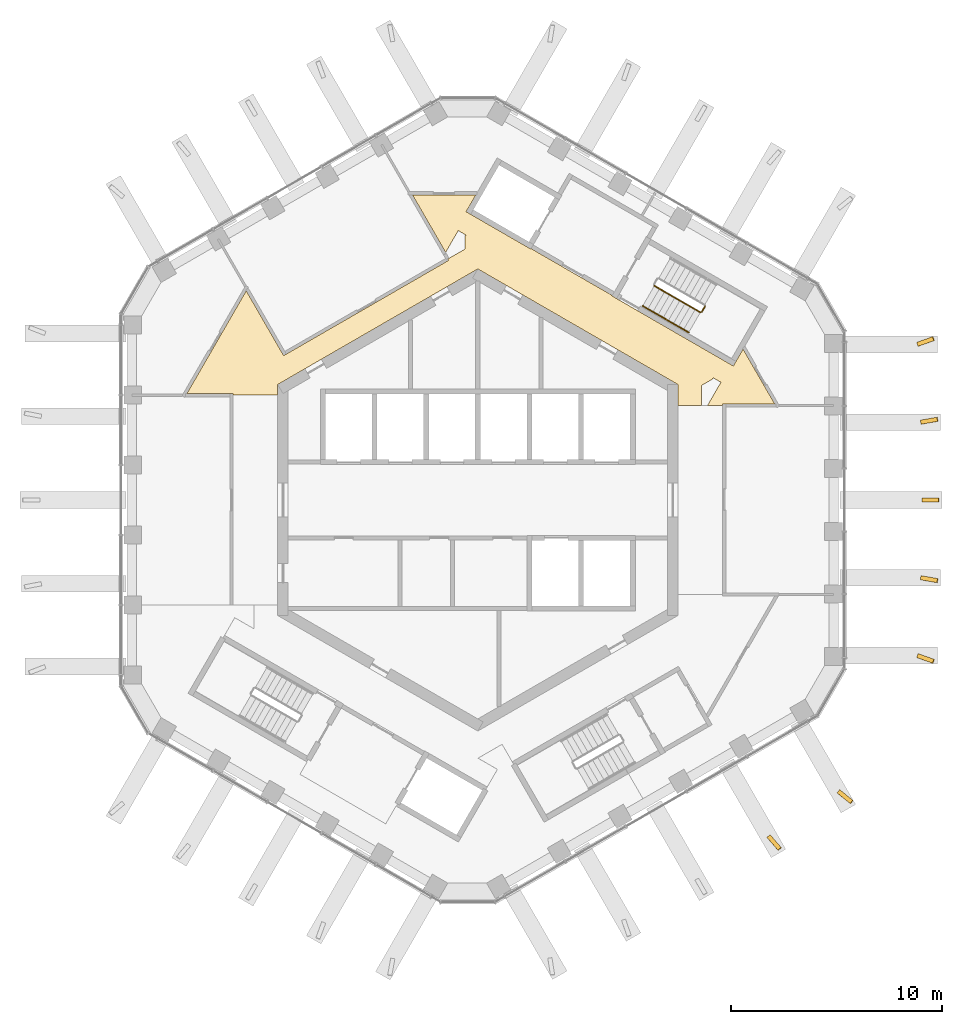
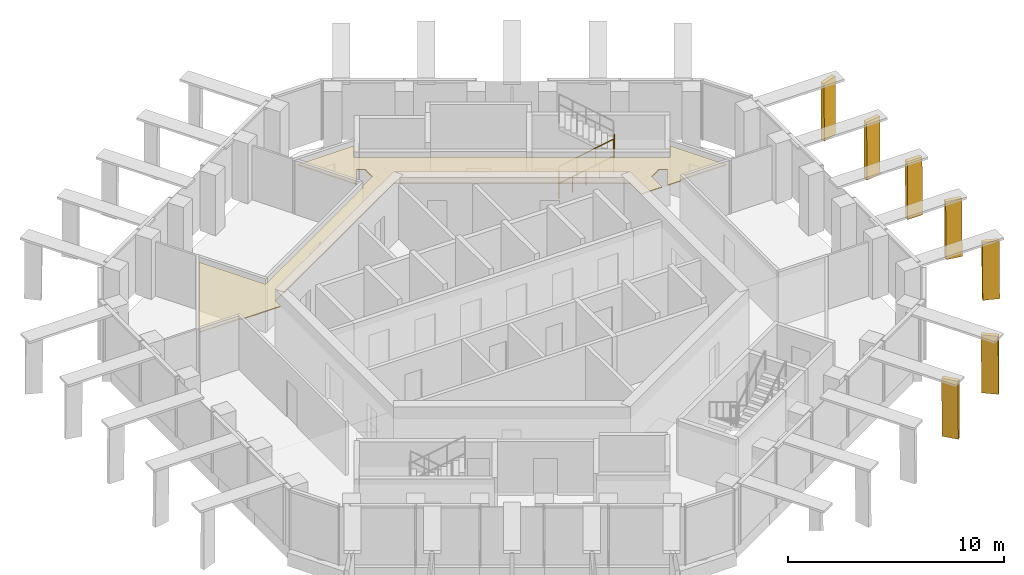
# One storey, part 16 of 17: 7 shading devices, 4 railings, 1 covering.
"""IFC4 building model written with IfcOpenShell, lengths in metres."""

from ifc_helpers import new_model, si_unit, direction, frame, origin, origin_2d, place, context, subcontext, project, spatial, polyline, circle, outline, extrude, material, layer, layer_set, type_object, element, save


model = new_model("IFC4")

# Units and contexts
model_context = context("Model", 3, precision=1e-05, world=origin(), true_north=direction((0.0, 1.0)))
body_context = subcontext(model_context, "Body", "Model", "MODEL_VIEW")
ifc_project = project(units=[si_unit("LENGTHUNIT", "METRE"), si_unit("AREAUNIT", "SQUARE_METRE"), si_unit("VOLUMEUNIT", "CUBIC_METRE"), si_unit("PLANEANGLEUNIT", "RADIAN"), si_unit("MASSUNIT", "GRAM", prefix="KILO")], contexts=[model_context])

# Site, building, storey
site_placement = place(None, origin())
site = spatial("IfcSite", under=ifc_project, at=site_placement, CompositionType="ELEMENT")
building_placement = place(site_placement, origin())
building = spatial("IfcBuilding", under=site, at=building_placement, Name="Ayvan Gate Tower", CompositionType="ELEMENT")
storey_placement = place(building_placement, frame((0.0, 0.0, 246.10009765625)))
storey = spatial("IfcBuildingStorey", under=building, at=storey_placement, Name="L66", CompositionType="ELEMENT", Elevation=246.10009765625)

# Covering
ifc_material_1 = material(Name="Plasterboard suspended ceiling")
ifc_layer_1 = layer(ifc_material_1, 0.050048828125)
ifc_layer_set_1 = layer_set([ifc_layer_1], Name="Plasterboard suspended ceiling")
covering_type = type_object("IfcCoveringType", Name="CT-SUSP-50", PredefinedType="CEILING", material=ifc_layer_set_1)
covering_placement = place(storey_placement, frame((0.0, 0.0, 2.699951171875)))
element("IfcCovering", 1, at=covering_placement, inside=storey, type_object=covering_type, Name="Ceiling Gallery L66", PredefinedType="CEILING", context=body_context, shape_type="SweptSolid", body=[
    extrude(outline(polyline([(-9.089111328125, 6.9287109375), (-9.0888671875, 6.9287109375), (-1.39111328125, 11.373291015625), (-1.428466796875, 11.438232421875), (-0.60009765625, 11.91650390625), (-0.60009765625, 12.56298828125), (-0.53955078125, 12.56298828125), (-0.930419921875, 12.78857421875), (-1.52587890625, 11.7568359375), (-3.102294921875, 14.48681640625), (-0.09423828125, 14.48681640625), (-0.55615234375, 13.686767578125), (-0.339599609375, 13.561767578125), (2.518310546875, 11.91162109375), (2.53076171875, 11.933349609375), (6.384521484375, 9.70849609375), (6.3720703125, 9.686767578125), (6.588623046875, 9.561767578125), (12.131103515625, 6.36181640625), (12.24609375, 6.56103515625), (12.593017578125, 7.161865234375), (14.096923828125, 4.556884765625), (11.625, 4.556884765625), (11.625, 4.481689453125), (10.9013671875, 4.481689453125), (11.540283203125, 5.58837890625), (11.149658203125, 5.814208984375), (11.1796875, 5.76171875), (10.6201171875, 5.438720703125), (10.6201171875, 4.481689453125), (9.5, 4.481689453125), (9.5, 5.48486328125), (4.66748046875, 8.27490234375), (0.0, 10.9697265625), (-4.667724609375, 8.27490234375), (-8.63134765625, 5.986328125), (-9.5, 5.48486328125), (-9.5, 4.97509765625), (-11.625, 4.97509765625), (-11.625, 5.05029296875), (-13.81201171875, 5.05029296875), (-10.994873046875, 9.929931640625), (-9.218994140625, 6.853759765625), (-9.089111328125, 6.9287109375)])), origin(), (0.0, 0.0, 1.0), 0.050048828125),
])

# Shading devices
ifc_material_2 = material(Name="Bronze anodised aluminium", Category="aluminium")
ifc_layer_2 = layer(ifc_material_2, 0.199951171875)
ifc_layer_set_2 = layer_set([ifc_layer_2], Name="Bronze anodised aluminium")
shading_device_type = type_object("IfcShadingDeviceType", Name="Crown frame rib 800 x 200", PredefinedType="USERDEFINED", material=ifc_layer_set_2)
shading_device_1_placement = place(storey_placement, frame((13.73876953125, -16.037353515625, 0.0), z_axis=(-0.75637328855, -0.654140062137, 0.000476944821), x_axis=(0.6541401365, -0.75637337461, -1.02649e-07)))
element("IfcShadingDevice", 2, at=shading_device_1_placement, inside=storey, type_object=shading_device_type, Name="CROWN FRAME rib FR04.6.4", ObjectType="FIN", PredefinedType="USERDEFINED", context=body_context, shape_type="SweptSolid", body=[
    extrude(outline(polyline([(0.0, 0.0), (0.8000175557077764, 0.0), (0.77860174133139, 3.279785609209792), (-0.021390855089738415, 3.279785444969894), (0.0, 0.0)])), origin(), (0.0, 0.0, -1.0), 0.199951171875),
])
shading_device_2_placement = place(storey_placement, frame((17.072021484375, -13.92333984375, 0.0), z_axis=(-0.628464885447, -0.777837821318, 0.000459877735), x_axis=(0.777837903585, -0.628464951884, 5.4584e-08)))
element("IfcShadingDevice", 3, at=shading_device_2_placement, inside=storey, type_object=shading_device_type, Name="CROWN FRAME rib FR04.6.5", ObjectType="FIN", PredefinedType="USERDEFINED", context=body_context, shape_type="SweptSolid", body=[
    extrude(outline(polyline([(0.0, 0.0), (0.7999800176189473, 2.710505431213761e-20), (0.776867303533222, 3.279785460662657), (-0.02326614791186887, 3.279785548002656), (0.0, 0.0)])), origin(), (0.0, 0.0, -1.0), 0.199951171875),
])
shading_device_3_placement = place(storey_placement, frame((20.856201171875, -7.48974609375, 0.0), z_axis=(-0.333570270152, -0.942725127629, 0.000456736698), x_axis=(0.942725225959, -0.333570304944, 0.0)))
element("IfcShadingDevice", 4, at=shading_device_3_placement, inside=storey, type_object=shading_device_type, Name="CROWN FRAME rib FR04.1.1", ObjectType="FIN", PredefinedType="USERDEFINED", context=body_context, shape_type="SweptSolid", body=[
    extrude(outline(polyline([(0.0, 0.0), (0.7999683999734712, 0.0), (0.7763897337873797, 3.2797854983454395), (-0.023578666186091543, 3.2797854983454395), (0.0, 0.0)])), origin(), (0.0, 0.0, -1.0), 0.199951171875),
])
shading_device_4_placement = place(storey_placement, frame((21.029052734375, -3.792724609375, 0.0), z_axis=(-0.172879967379, -0.984942797381, 0.000450295742), x_axis=(0.984942897231, -0.172879984942, -7.9563e-08)))
element("IfcShadingDevice", 5, at=shading_device_4_placement, inside=storey, type_object=shading_device_type, Name="CROWN FRAME rib FR04.1.2", ObjectType="FIN", PredefinedType="USERDEFINED", context=body_context, shape_type="SweptSolid", body=[
    extrude(outline(polyline([(0.0, 0.0), (0.7999105666083052, -1.3552527156068805e-20), (0.7780613330705165, 3.2797855506694673), (-0.02204749108473448, 3.279785423367875), (0.0, 0.0)])), origin(), (0.0, 0.0, -1.0), 0.199951171875),
])
shading_device_5_placement = place(storey_placement, frame((21.10205078125, -0.099853515625, 0.0), z_axis=(0.0, -0.999999900262, 0.000446627914), x_axis=(1.0, 0.0, 0.0)))
element("IfcShadingDevice", 6, at=shading_device_5_placement, inside=storey, type_object=shading_device_type, Name="CROWN FRAME rib FR04.1.3", ObjectType="FIN", PredefinedType="USERDEFINED", context=body_context, shape_type="SweptSolid", body=[
    extrude(outline(polyline([(0.0, 0.0), (0.800048828125, 0.0), (0.77880859375, 3.2797854833700706), (-0.021240234375, 3.2797854833700706), (0.0, 0.0)])), origin(), (0.0, 0.0, -1.0), 0.199951171875),
])
shading_device_6_placement = place(storey_placement, frame((21.0634765625, 3.595947265625, 0.0), z_axis=(0.172879966992, -0.984942795173, 0.000455247915), x_axis=(0.984942897233, 0.172879984932, 5.64e-08)))
element("IfcShadingDevice", 7, at=shading_device_6_placement, inside=storey, type_object=shading_device_type, Name="CROWN FRAME rib FR04.1.4", ObjectType="FIN", PredefinedType="USERDEFINED", context=body_context, shape_type="SweptSolid", body=[
    extrude(outline(polyline([(0.0, 0.0), (0.8001510311828248, 1.3552527156068805e-20), (0.7780873341787556, 3.2797854522350995), (-0.02178102540197805, 3.279785542475492), (0.0, 0.0)])), origin(), (0.0, 0.0, -1.0), 0.199951171875),
])
shading_device_7_placement = place(storey_placement, frame((20.923095703125, 7.30126953125, 0.0), z_axis=(0.333753883975, -0.942660146919, 0.00043856933), x_axis=(0.942660237582, 0.333753916055, -4.0762e-08)))
element("IfcShadingDevice", 8, at=shading_device_7_placement, inside=storey, type_object=shading_device_type, Name="CROWN FRAME rib FR04.1.5", ObjectType="FIN", PredefinedType="USERDEFINED", context=body_context, shape_type="SweptSolid", body=[
    extrude(outline(polyline([(0.0, 0.0), (0.7997382431398925, 2.710505431213761e-20), (0.7764465216394344, 3.2797855033211807), (-0.023603346049685923, 3.279785438111301), (0.0, 0.0)])), origin(), (0.0, 0.0, -1.0), 0.199951171875),
])

# Railings
ifc_material_3 = material(Name="Stainless steel balustrade", Category="steel")
railing_type_1 = type_object("IfcRailingType", Name="RL-GUARD-1100", PredefinedType="GUARDRAIL", material=ifc_material_3)
railing_1_placement = place(storey_placement, frame((8.381103515625, 10.16650390625, 0.169921875)))
element("IfcRailing", 9, at=railing_1_placement, inside=storey, type_object=railing_type_1, Name="L66 STS1 stair guard 1", PredefinedType="GUARDRAIL", context=body_context, shape_type="SweptSolid", body=[
    extrude(circle(Radius=0.02392578125, at=origin_2d()), frame((0.0, 0.0, 1.076171875), z_axis=(0.740261155115, -0.427395438142, 0.518986090067), x_axis=(0.500004791531, 0.866022637375, 0.0)), (0.0, 0.0, 1.0), 2.947998046875),
    extrude(circle(Radius=0.02099609375, at=origin_2d()), origin(), (0.0, 0.0, 1.0), 1.052001953125),
    extrude(circle(Radius=0.02099609375, at=origin_2d()), frame((0.7275390625, -0.419921875, 0.510009765625)), (0.0, 0.0, 1.0), 1.052001953125),
    extrude(circle(Radius=0.02099609375, at=origin_2d()), frame((1.454833984375, -0.840087890625, 1.02001953125)), (0.0, 0.0, 1.0), 1.052001953125),
    extrude(circle(Radius=0.02099609375, at=origin_2d()), frame((2.182373046875, -1.260009765625, 1.530029296875)), (0.0, 0.0, 1.0), 1.052001953125),
])
railing_2_placement = place(storey_placement, frame((10.6318359375, 8.9248046875, 1.699951171875)))
element("IfcRailing", 10, at=railing_2_placement, inside=storey, type_object=railing_type_1, Name="L66 STS1 stair guard 2", PredefinedType="GUARDRAIL", context=body_context, shape_type="SweptSolid", body=[
    extrude(circle(Radius=0.02392578125, at=origin_2d()), frame((0.0, 0.0, 1.076171875), z_axis=(0.499949632511, 0.866054481515, 0.0), x_axis=(-0.866054481515, 0.499949632511, 0.0)), (0.0, 0.0, 1.0), 0.31005859375),
    extrude(circle(Radius=0.02099609375, at=origin_2d()), origin(), (0.0, 0.0, 1.0), 1.052001953125),
    extrude(circle(Radius=0.02099609375, at=origin_2d()), frame((0.155029296875, 0.2685546875, 0.0)), (0.0, 0.0, 1.0), 1.052001953125),
])
railing_type_2 = type_object("IfcRailingType", Name="RL-HANDRAIL-900", PredefinedType="HANDRAIL", material=ifc_material_3)
railing_3_placement = place(storey_placement, frame((7.8310546875, 9.2138671875, 0.169921875)))
element("IfcRailing", 11, at=railing_3_placement, inside=storey, type_object=railing_type_2, Name="L66 STS1 stair handrail 1", PredefinedType="HANDRAIL", context=body_context, shape_type="SweptSolid", body=[
    extrude(circle(Radius=0.02392578125, at=origin_2d()), frame((0.0, 0.0, 0.8759765625), z_axis=(0.740356597536, -0.427319915356, 0.518912129772), x_axis=(0.499890179513, 0.866088799389, 0.0)), (0.0, 0.0, 1.0), 1.47412109375),
    extrude(circle(Radius=0.02099609375, at=origin_2d()), origin(), (0.0, 0.0, 1.0), 0.851806640625),
    extrude(circle(Radius=0.02099609375, at=origin_2d()), frame((0.545654296875, -0.31494140625, 0.38232421875)), (0.0, 0.0, 1.0), 0.851806640625),
    extrude(circle(Radius=0.02099609375, at=origin_2d()), frame((1.09130859375, -0.6298828125, 0.764892578125)), (0.0, 0.0, 1.0), 0.851806640625),
])
railing_4_placement = place(storey_placement, frame((8.92236328125, 8.583984375, 0.934814453125)))
element("IfcRailing", 12, at=railing_4_placement, inside=storey, type_object=railing_type_2, Name="L66 STS1 stair handrail 2", PredefinedType="HANDRAIL", context=body_context, shape_type="SweptSolid", body=[
    extrude(circle(Radius=0.02392578125, at=origin_2d()), frame((0.0, 0.0, 0.8759765625), z_axis=(0.740165700939, -0.427470949681, 0.519060037311), x_axis=(0.50011940292, 0.865956455501, 0.0)), (0.0, 0.0, 1.0), 1.47412109375),
    extrude(circle(Radius=0.02099609375, at=origin_2d()), origin(), (0.0, 0.0, 1.0), 0.851806640625),
    extrude(circle(Radius=0.02099609375, at=origin_2d()), frame((0.54541015625, -0.31494140625, 0.382568359375)), (0.0, 0.0, 1.0), 0.851806640625),
    extrude(circle(Radius=0.02099609375, at=origin_2d()), frame((1.091064453125, -0.630126953125, 0.76513671875)), (0.0, 0.0, 1.0), 0.851806640625),
])

save(model, "model.ifc")
